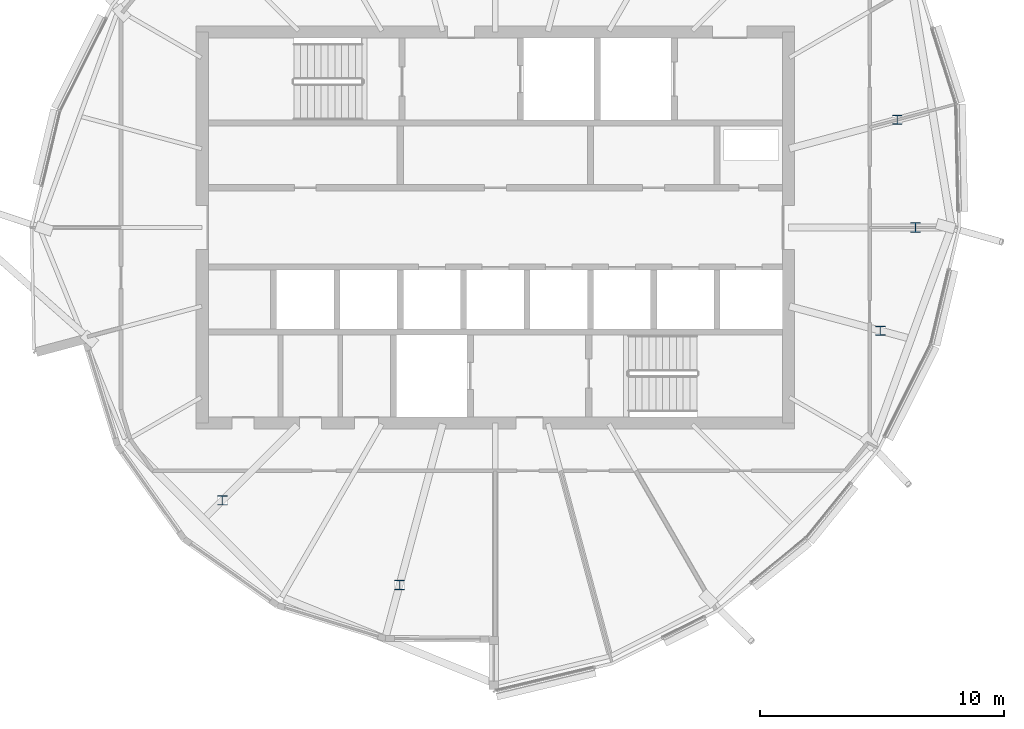
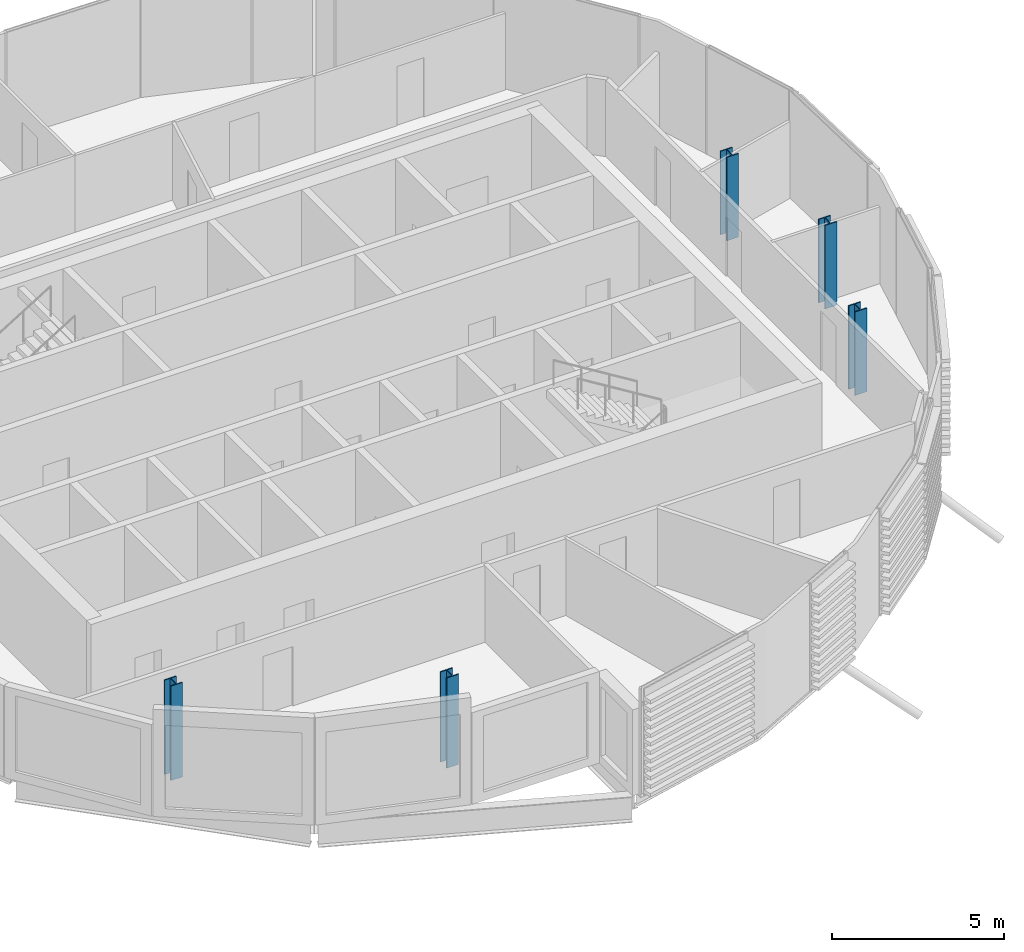
# One storey, part 2 of 36: 5 columns.
"""IFC4 building model written with IfcOpenShell, lengths in metres."""

import ifcopenshell
import ifcopenshell.guid

model = None  # the IFC model being written
_history = None  # IfcOwnerHistory: only IFC2X3 demands one
_inside = {}  # id of a spatial element -> (the spatial element, [elements in it])
_under = {}  # id of a project, library or spatial element -> (it, [spatial elements below it])
_declared = {}  # id of a project -> (the project, [libraries it declares])
_typed = {}  # id of a type object -> (the type object, [elements of that type])
_made_of = {}  # id of a material, layer set ... -> (it, [elements and type objects made of it])


def new_model(schema):
    """Start an empty IFC model of exactly this schema.

    Asked for "IFC4X3", IfcOpenShell would pick the latest addendum, in which some entities
    have other attributes; the version numbers below select the first issue.
    IFC2X3 requires an IfcOwnerHistory on every rooted entity: one is made here for all.
    """
    global model, _history
    if schema == "IFC4X3":
        model = ifcopenshell.file(schema_version=(4, 3, 0, 0))
    else:
        model = ifcopenshell.file(schema=schema)
    _inside.clear()
    _under.clear()
    _declared.clear()
    _typed.clear()
    _made_of.clear()
    _history = None
    if model.schema == "IFC2X3":
        org = make("IfcOrganization", Name="unknown")
        user = make(
            "IfcPersonAndOrganization",
            ThePerson=make("IfcPerson", FamilyName="unknown"),
            TheOrganization=org,
        )
        app = make(
            "IfcApplication",
            ApplicationDeveloper=org,
            Version="unknown",
            ApplicationFullName="unknown",
            ApplicationIdentifier="unknown",
        )
        _history = make(
            "IfcOwnerHistory",
            OwningUser=user,
            OwningApplication=app,
            ChangeAction="ADDED",
            CreationDate=0,
        )
    return model


def make(cls, **values):
    """One entity of the class cls with the attributes given. An attribute that is None is left unset."""
    return model.create_entity(
        cls, **{name: value for name, value in values.items() if value is not None}
    )


def rooted(cls, **values):
    """An entity with a GlobalId (a new one), such as an element, a storey or a relation."""
    return make(cls, GlobalId=ifcopenshell.guid.new(), OwnerHistory=_history, **values)


def si_unit(unit_type, name, prefix=None):
    """IfcSIUnit, for example si_unit("LENGTHUNIT", "METRE", prefix="MILLI")."""
    return make("IfcSIUnit", UnitType=unit_type, Prefix=prefix, Name=name)


def assignment(units):
    """IfcUnitAssignment: the units of a project."""
    return None if units is None else make("IfcUnitAssignment", Units=units)


def point(xyz):
    """IfcCartesianPoint."""
    return None if xyz is None else make("IfcCartesianPoint", Coordinates=xyz)


def direction(xyz):
    """IfcDirection."""
    return None if xyz is None else make("IfcDirection", DirectionRatios=xyz)


def frame(location, z_axis=None, x_axis=None):
    """IfcAxis2Placement3D, a coordinate frame: its origin and axes. An axis left out is left unset."""
    return make(
        "IfcAxis2Placement3D",
        Location=point(location),
        Axis=direction(z_axis),
        RefDirection=direction(x_axis),
    )


def frame_2d(location, x_axis=None):
    """IfcAxis2Placement2D, a coordinate frame in the plane: its origin and x axis."""
    return make(
        "IfcAxis2Placement2D", Location=point(location), RefDirection=direction(x_axis)
    )


def origin():
    """The frame at (0, 0, 0) with its axes left unset."""
    return frame((0.0, 0.0, 0.0))


def origin_2d():
    """The frame at (0, 0) in the plane with its x axis left unset."""
    return frame_2d((0.0, 0.0))


def place(relative_to, where):
    """IfcLocalPlacement: puts the frame where relative to a parent placement (None: the world)."""
    return make(
        "IfcLocalPlacement", PlacementRelTo=relative_to, RelativePlacement=where
    )


def context(
    kind, dimensions, precision=None, world=None, true_north=None, identifier=None
):
    """IfcGeometricRepresentationContext, for example the 3D "Model" context."""
    return make(
        "IfcGeometricRepresentationContext",
        ContextIdentifier=identifier,
        ContextType=kind,
        CoordinateSpaceDimension=dimensions,
        Precision=precision,
        WorldCoordinateSystem=world,
        TrueNorth=true_north,
    )


def subcontext(parent, identifier, kind, view, scale=None):
    """IfcGeometricRepresentationSubContext, for example "Body" below "Model"."""
    return make(
        "IfcGeometricRepresentationSubContext",
        ContextIdentifier=identifier,
        ContextType=kind,
        ParentContext=parent,
        TargetScale=scale,
        TargetView=view,
    )


def project(units=None, contexts=None):
    """IfcProject with its units and contexts."""
    return rooted(
        "IfcProject",
        Name="project",
        RepresentationContexts=contexts,
        UnitsInContext=assignment(units),
    )


def spatial(cls, under=None, at=None, **own):
    """A site, building, storey or space (cls), placed at a placement, below another one or the project."""
    s = rooted(cls, ObjectPlacement=at, **own)
    if under is not None:
        _under.setdefault(under.id(), (under, []))[1].append(s)
    return s


def profile(cls, at=None, kind="AREA", **sizes):
    """A parametric profile (cls). Its sizes go by their IFC names, for example OverallWidth=200.0."""
    return make(cls, ProfileType=kind, Position=at, **sizes)


def i_section(**sizes):
    """IfcIShapeProfileDef."""
    return profile("IfcIShapeProfileDef", **sizes)


def extrude(swept, where, along, depth):
    """IfcExtrudedAreaSolid: the profile swept, set in the frame where, extruded along a direction by depth."""
    return make(
        "IfcExtrudedAreaSolid",
        SweptArea=swept,
        Position=where,
        ExtrudedDirection=direction(along),
        Depth=depth,
    )


def shape(context_of_items, identifier, shape_type, items):
    """IfcShapeRepresentation: the items that make up one representation, for example the "Body"."""
    return make(
        "IfcShapeRepresentation",
        ContextOfItems=context_of_items,
        RepresentationIdentifier=identifier,
        RepresentationType=shape_type,
        Items=items,
    )


def material(Name=None, Category=None):
    """IfcMaterial."""
    return make("IfcMaterial", Name=Name, Category=Category)


def material_profile(
    of_material, cross_section, Name=None, Category=None, Priority=None
):
    """IfcMaterialProfile: a cross section and its material."""
    return make(
        "IfcMaterialProfile",
        Name=Name,
        Material=of_material,
        Profile=cross_section,
        Priority=Priority,
        Category=Category,
    )


def profile_set(profiles, Name=None, composite=None):
    """IfcMaterialProfileSet."""
    return make(
        "IfcMaterialProfileSet",
        Name=Name,
        MaterialProfiles=profiles,
        CompositeProfile=composite,
    )


def made_of(thing, what):
    """Note that an element or type object is made of a material, layer set ...; save() writes the relation."""
    if what is not None:
        _made_of.setdefault(what.id(), (what, []))[1].append(thing)
    return thing


def type_object(cls, material=None, **own):
    """A type object (cls), such as IfcWallType, which elements share."""
    return made_of(rooted(cls, **own), material)


def element(
    cls,
    number,
    at=None,
    inside=None,
    cuts=None,
    type_object=None,
    material=None,
    context=None,
    identifier="Body",
    shape_type=None,
    held_by="IfcProductDefinitionShape",
    body=None,
    shapes=None,
    **own,
):
    """One element of the class cls, such as IfcWall. Its Tag is "e" and its number.

    at: its placement. inside: the storey or other place that contains it. cuts: it is an
    opening in that element (IfcRelVoidsElement). A single representation is given by context,
    identifier, shape_type and body (its items); several are given by shapes. held_by: the class
    of the entity that holds the representations. save() writes the other relations.
    """
    e = rooted(cls, Tag="e%d" % number, ObjectPlacement=at, **own)
    if body is not None:
        shapes = [shape(context, identifier, shape_type, body)]
    if shapes is not None:
        e.Representation = make(held_by, Representations=shapes)
    if inside is not None:
        _inside.setdefault(inside.id(), (inside, []))[1].append(e)
    if cuts is not None:
        rooted(
            "IfcRelVoidsElement", RelatingBuildingElement=cuts, RelatedOpeningElement=e
        )
    if type_object is not None:
        _typed.setdefault(type_object.id(), (type_object, []))[1].append(e)
    return made_of(e, material)


def aggregate(whole, parts):
    """IfcRelAggregates: a whole, such as a stair, and the parts it consists of."""
    return rooted("IfcRelAggregates", RelatingObject=whole, RelatedObjects=parts)


def save(model, path):
    """Write the relations noted so far, then the file.

    IfcRelAggregates (storeys below a building ...), IfcRelContainedInSpatialStructure (elements
    in a storey), IfcRelDefinesByType, IfcRelAssociatesMaterial and IfcRelDeclares: one each for
    every whole, place, type object, material and project.
    """
    for whole, parts in _under.values():
        aggregate(whole, parts)
    for where, things in _inside.values():
        rooted(
            "IfcRelContainedInSpatialStructure",
            RelatedElements=things,
            RelatingStructure=where,
        )
    for kind, things in _typed.values():
        rooted("IfcRelDefinesByType", RelatedObjects=things, RelatingType=kind)
    for what, things in _made_of.values():
        rooted("IfcRelAssociatesMaterial", RelatedObjects=things, RelatingMaterial=what)
    for by, libraries in _declared.values():
        rooted("IfcRelDeclares", RelatingContext=by, RelatedDefinitions=libraries)
    model.write(path)


model = new_model("IFC4")

# Units and contexts
model_context = context("Model", 3, precision=1e-05, world=origin(), true_north=direction((0.0, 1.0)))
body_context = subcontext(model_context, "Body", "Model", "MODEL_VIEW")
ifc_project = project(units=[si_unit("LENGTHUNIT", "METRE"), si_unit("AREAUNIT", "SQUARE_METRE"), si_unit("VOLUMEUNIT", "CUBIC_METRE"), si_unit("PLANEANGLEUNIT", "RADIAN"), si_unit("MASSUNIT", "GRAM", prefix="KILO")], contexts=[model_context])

# Site, building, storey
site_placement = place(None, origin())
site = spatial("IfcSite", under=ifc_project, at=site_placement, CompositionType="ELEMENT")
building_placement = place(site_placement, origin())
building = spatial("IfcBuilding", under=site, at=building_placement, Name="Rimbun Link Towers", CompositionType="ELEMENT")
storey_placement = place(building_placement, frame((0.0, 0.0, 248.5)))
storey = spatial("IfcBuildingStorey", under=building, at=storey_placement, Name="L61", CompositionType="ELEMENT", Elevation=248.5)

# Columns
ifc_material = material(Name="Steel S355J2", Category="steel")
ifc_material_profile = material_profile(ifc_material, i_section(OverallWidth=0.39892578125, OverallDepth=0.3935546875, WebThickness=0.022705078125, FlangeThickness=0.03662109375, at=origin_2d()), Name="UC 356x406x287")
ifc_profile_set = profile_set([ifc_material_profile], Name="Steel S355J2")
column_type = type_object("IfcColumnType", Name="UC 356x406x287", PredefinedType="COLUMN", material=ifc_profile_set)
column_1_placement = place(storey_placement, frame((20.574462890625, -11.175537109375, -0.139892578125), z_axis=(0.0, 0.0, 1.0), x_axis=(1.0, 0.0, 0.0)))
element("IfcColumn", 1, at=column_1_placement, inside=storey, type_object=column_type, Name="Crease post T2 L61 12", PredefinedType="COLUMN", context=body_context, shape_type="SweptSolid", body=[
    extrude(i_section(OverallWidth=0.39892578125, OverallDepth=0.3935546875, WebThickness=0.022705078125, FlangeThickness=0.03662109375, at=origin_2d()), origin(), (0.0, 0.0, 1.0), 3.346435546875),
])
column_2_placement = place(storey_placement, frame((27.827880859375, -14.637451171875, -0.139892578125), z_axis=(0.0, 0.0, 1.0), x_axis=(1.0, 0.0, 0.0)))
element("IfcColumn", 2, at=column_2_placement, inside=storey, type_object=column_type, Name="Crease post T2 L61 14", PredefinedType="COLUMN", context=body_context, shape_type="SweptSolid", body=[
    extrude(i_section(OverallWidth=0.39892578125, OverallDepth=0.3935546875, WebThickness=0.022705078125, FlangeThickness=0.03662109375, at=origin_2d()), origin(), (0.0, 0.0, 1.0), 3.197265625),
])
for number, where, z_axis, x_axis, name in (
    (3, (47.519775390625, -4.2255859375, -0.139892578125), (0.0, 0.0, 1.0), (1.0, 0.0, 0.0), "Crease post T2 L61 20"),
    (4, (48.955810546875, 0.0, -0.139892578125), (0.0, 0.0, 1.0), (1.0, 0.0, 0.0), "Crease post T2 L61 21"),
    (5, (48.21142578125, 4.410888671875, -0.139892578125), (0.0, 0.0, 1.0), (1.0, 0.0, 0.0), "Crease post T2 L61 22"),
):
    element("IfcColumn", number, at=place(storey_placement, frame(where, z_axis=z_axis, x_axis=x_axis)), inside=storey, type_object=column_type, Name=name, PredefinedType="COLUMN", context=body_context, shape_type="SweptSolid", body=[
        extrude(i_section(OverallWidth=0.39892578125, OverallDepth=0.3935546875, WebThickness=0.022705078125, FlangeThickness=0.03662109375, at=origin_2d()), origin(), (0.0, 0.0, 1.0), 2.959228515625),
    ])

save(model, "model.ifc")
